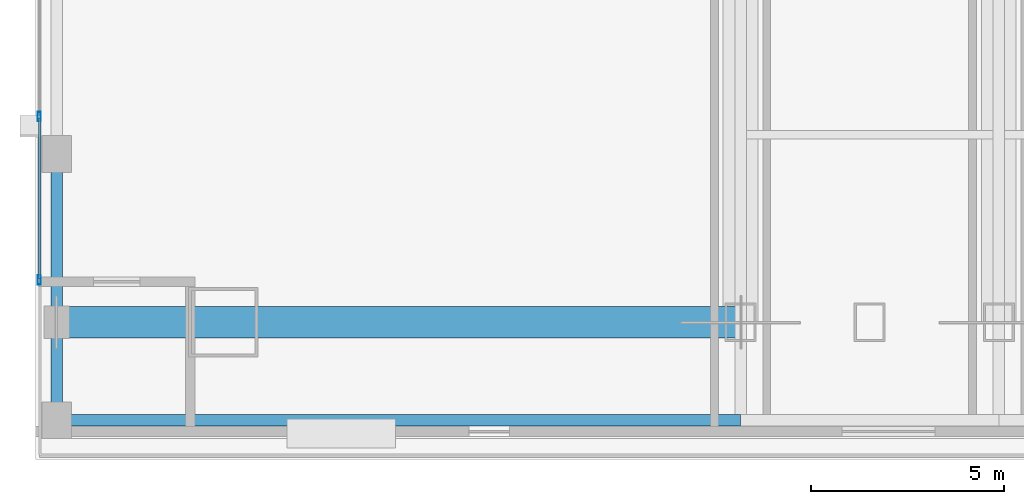
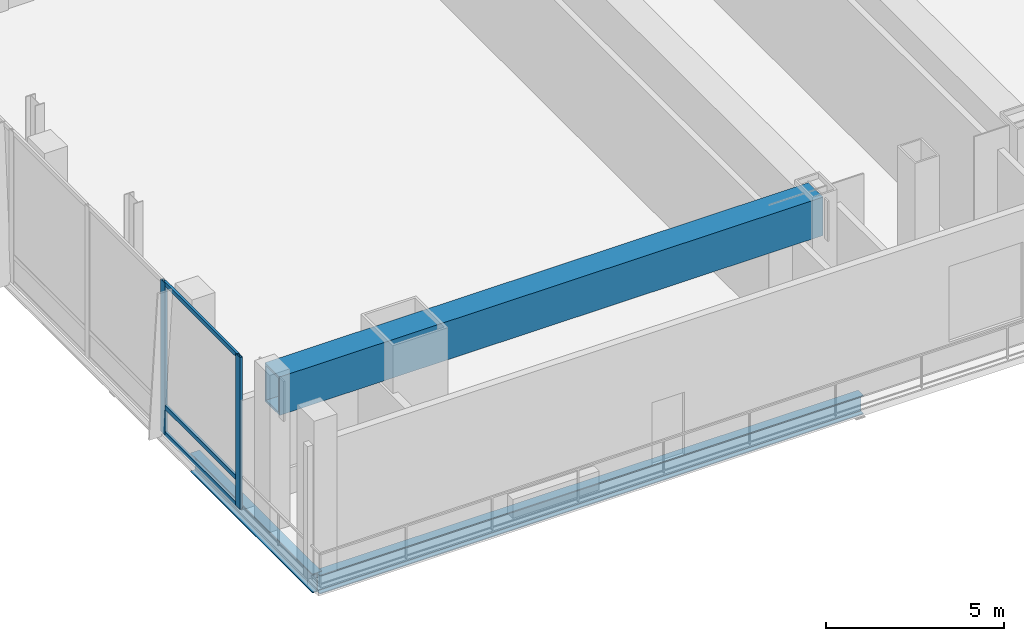
# One storey, part 5 of 26: 5 members, 3 beams, 1 element without a shape of its own.
"""IFC4 building model written with IfcOpenShell, lengths in metres."""

from ifc_helpers import new_model, si_unit, direction, frame, origin, origin_2d, place, context, subcontext, project, spatial, hollow_rectangle, i_section, extrude, material, material_profile, profile_set, type_object, element, aggregate, save


model = new_model("IFC4")

# Units and contexts
model_context = context("Model", 3, precision=1e-05, world=origin(), true_north=direction((0.0, 1.0)))
body_context = subcontext(model_context, "Body", "Model", "MODEL_VIEW")
ifc_project = project(units=[si_unit("LENGTHUNIT", "METRE"), si_unit("AREAUNIT", "SQUARE_METRE"), si_unit("VOLUMEUNIT", "CUBIC_METRE"), si_unit("PLANEANGLEUNIT", "RADIAN"), si_unit("MASSUNIT", "GRAM", prefix="KILO")], contexts=[model_context])

# Site, building, storey
site_placement = place(None, origin())
site = spatial("IfcSite", under=ifc_project, at=site_placement, CompositionType="ELEMENT")
building_placement = place(site_placement, origin())
building = spatial("IfcBuilding", under=site, at=building_placement, Name="Khoronbel Lancet Exchange", CompositionType="ELEMENT")
storey_placement = place(building_placement, frame((0.0, 0.0, 20.39990234375)))
storey = spatial("IfcBuildingStorey", under=building, at=storey_placement, Name="L04", CompositionType="ELEMENT", Elevation=20.39990234375)

# Beams
ifc_material_1 = material(Name="Steel S355", Category="steel")
ifc_material_profile_1 = material_profile(ifc_material_1, i_section(OverallWidth=0.300048828125, OverallDepth=0.64990234375, WebThickness=0.01611328125, FlangeThickness=0.031005859375, at=origin_2d()), Name="HEB 650")
ifc_profile_set_1 = profile_set([ifc_material_profile_1], Name="Steel S355")
beam_type_1 = type_object("IfcBeamType", Name="BM-BSP1", PredefinedType="SPANDREL", material=ifc_profile_set_1)
beam_1_placement = place(storey_placement, frame((0.550048828125, 7.6201171875, -0.544921875), z_axis=(1.0, 0.0, 0.0), x_axis=(0.0, 1.0, 0.0)))
element("IfcBeam", 1, at=beam_1_placement, inside=storey, type_object=beam_type_1, Name="Level L04 perimeter spandrel beam SP01", PredefinedType="SPANDREL", context=body_context, shape_type="SweptSolid", body=[
    extrude(i_section(OverallWidth=0.300048828125, OverallDepth=0.64990234375, WebThickness=0.01611328125, FlangeThickness=0.031005859375, at=origin_2d()), origin(), (0.0, 0.0, 1.0), 17.675048828125),
])
beam_2_placement = place(storey_placement, frame((0.550048828125, 14.5, -0.544921875), z_axis=(0.0, -1.0, 0.0), x_axis=(1.0, 0.0, 0.0)))
element("IfcBeam", 2, at=beam_2_placement, inside=storey, type_object=beam_type_1, Name="Level L04 perimeter spandrel beam SP19", PredefinedType="SPANDREL", context=body_context, shape_type="SweptSolid", body=[
    extrude(i_section(OverallWidth=0.300048828125, OverallDepth=0.64990234375, WebThickness=0.01611328125, FlangeThickness=0.031005859375, at=origin_2d()), origin(), (0.0, 0.0, 1.0), 6.8798828125),
])
ifc_material_2 = material(Name="Steel S460", Category="steel")
ifc_material_profile_2 = material_profile(ifc_material_2, hollow_rectangle(XDim=0.820068359375, YDim=1.320068359375, WallThickness=0.070068359375, at=origin_2d()), Name="BOX 820x1320x70")
ifc_profile_set_2 = profile_set([ifc_material_profile_2], Name="Steel S460")
beam_type_2 = type_object("IfcBeamType", Name="BM-TG4", PredefinedType="USERDEFINED", material=ifc_profile_set_2)
beam_3_placement = place(storey_placement, frame((0.550048828125, 10.14990234375, 4.56005859375), z_axis=(1.0, 0.0, 0.0), x_axis=(0.0, 1.0, 0.0)))
element("IfcBeam", 3, at=beam_3_placement, inside=storey, type_object=beam_type_2, Name="L04 podium-to-tower corner transfer girder SW", ObjectType="TRANSFER GIRDER", PredefinedType="USERDEFINED", context=body_context, shape_type="SweptSolid", body=[
    extrude(hollow_rectangle(XDim=0.820068359375, YDim=1.320068359375, WallThickness=0.070068359375, at=origin_2d()), origin(), (0.0, 0.0, 1.0), 17.675048828125),
])

# Curtain wall, members
ifc_material_3 = material(Name="Low-E Solar Control Insulating Glass", Category="glass")
curtain_wall_type = type_object("IfcCurtainWallType", Name="CW-5", PredefinedType="NOTDEFINED", material=ifc_material_3)
curtain_wall_placement = place(storey_placement, origin())
curtain_wall = element("IfcCurtainWall", 4, at=curtain_wall_placement, inside=storey, type_object=curtain_wall_type, Name="Unitised curtain wall CW-L04-WEST", PredefinedType="NOTDEFINED")
ifc_material_4 = material(Name="Bronze-Anodised Aluminium 6063-T6", Category="aluminium")
ifc_material_profile_3 = material_profile(ifc_material_4, hollow_rectangle(XDim=0.0849609375, YDim=0.239990234375, WallThickness=0.006103515625, at=origin_2d()), Name="ALU MULLION 85x240")
ifc_profile_set_3 = profile_set([ifc_material_profile_3], Name="Bronze-Anodised Aluminium 6063-T6")
member_type_1 = type_object("IfcMemberType", Name="MEM-CWM1", PredefinedType="MULLION", material=ifc_profile_set_3)
member_1_placement = place(storey_placement, frame((0.10009765625, 15.466552734375, 0.0), z_axis=(0.0, 0.0, 1.0), x_axis=(1.0, 0.0, 0.0)))
member_1 = element("IfcMember", 5, at=member_1_placement, type_object=member_type_1, Name="CW5 mullion 9", PredefinedType="MULLION", context=body_context, shape_type="SweptSolid", body=[
    extrude(hollow_rectangle(XDim=0.0849609375, YDim=0.239990234375, WallThickness=0.006103515625, at=origin_2d()), origin(), (0.0, 0.0, 1.0), 5.22021484375),
])
member_2_placement = place(storey_placement, frame((0.10009765625, 11.242431640625, 0.0), z_axis=(0.0, 0.0, 1.0), x_axis=(1.0, 0.0, 0.0)))
member_2 = element("IfcMember", 6, at=member_2_placement, type_object=member_type_1, Name="CW5 mullion 10", PredefinedType="MULLION", context=body_context, shape_type="SweptSolid", body=[
    extrude(hollow_rectangle(XDim=0.0849609375, YDim=0.239990234375, WallThickness=0.006103515625, at=origin_2d()), origin(), (0.0, 0.0, 1.0), 5.22021484375),
])
ifc_material_profile_4 = material_profile(ifc_material_4, hollow_rectangle(XDim=0.074951171875, YDim=0.14990234375, WallThickness=0.00439453125, at=origin_2d()), Name="ALU TRANSOM 75x150")
ifc_profile_set_4 = profile_set([ifc_material_profile_4], Name="Bronze-Anodised Aluminium 6063-T6")
member_type_2 = type_object("IfcMemberType", Name="MEM-CWT2", PredefinedType="USERDEFINED", material=ifc_profile_set_4)
member_3_placement = place(storey_placement, frame((0.10009765625, 15.424072265625, 0.03759765625), z_axis=(0.0, -1.0, 0.0), x_axis=(1.0, 0.0, 0.0)))
member_3 = element("IfcMember", 7, at=member_3_placement, type_object=member_type_2, Name="CW5 transom 9.1", ObjectType="TRANSOM", PredefinedType="USERDEFINED", context=body_context, shape_type="SweptSolid", body=[
    extrude(hollow_rectangle(XDim=0.074951171875, YDim=0.14990234375, WallThickness=0.00439453125, at=origin_2d()), origin(), (0.0, 0.0, 1.0), 4.13916015625),
])
member_4_placement = place(storey_placement, frame((0.10009765625, 15.424072265625, 0.9501953125), z_axis=(0.0, -1.0, 0.0), x_axis=(1.0, 0.0, 0.0)))
member_4 = element("IfcMember", 8, at=member_4_placement, type_object=member_type_2, Name="CW5 transom 9.2", ObjectType="TRANSOM", PredefinedType="USERDEFINED", context=body_context, shape_type="SweptSolid", body=[
    extrude(hollow_rectangle(XDim=0.074951171875, YDim=0.14990234375, WallThickness=0.00439453125, at=origin_2d()), origin(), (0.0, 0.0, 1.0), 4.13916015625),
])
member_5_placement = place(storey_placement, frame((0.10009765625, 15.424072265625, 5.1826171875), z_axis=(0.0, -1.0, 0.0), x_axis=(1.0, 0.0, 0.0)))
member_5 = element("IfcMember", 9, at=member_5_placement, type_object=member_type_2, Name="CW5 transom 9.3", ObjectType="TRANSOM", PredefinedType="USERDEFINED", context=body_context, shape_type="SweptSolid", body=[
    extrude(hollow_rectangle(XDim=0.074951171875, YDim=0.14990234375, WallThickness=0.00439453125, at=origin_2d()), origin(), (0.0, 0.0, 1.0), 4.13916015625),
])
aggregate(curtain_wall, [member_1, member_2, member_3, member_4, member_5])

save(model, "model.ifc")
